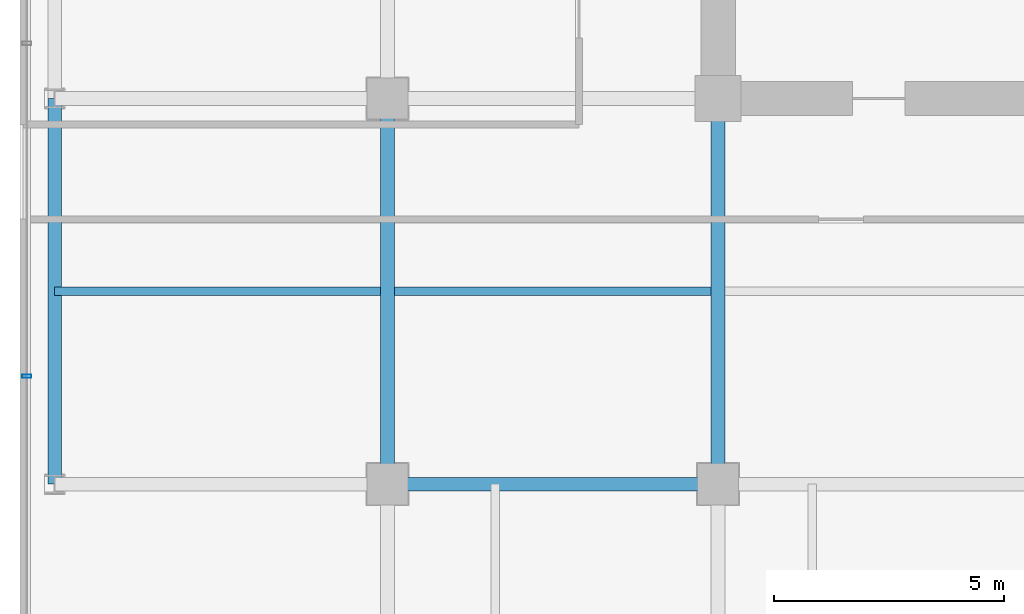
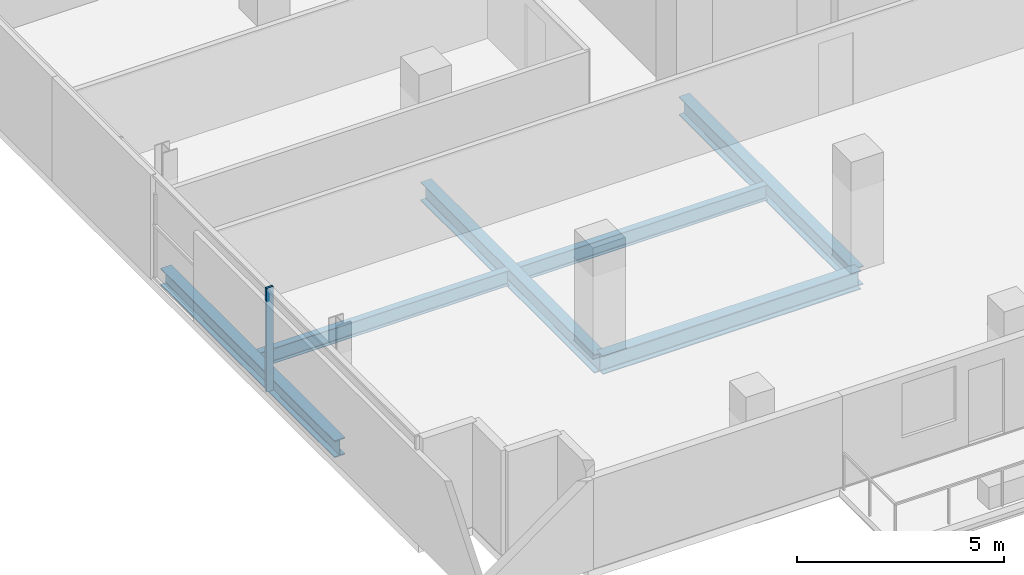
# One storey, part 4 of 27: 6 beams, 1 member, 1 element without a shape of its own.
"""IFC4 building model written with IfcOpenShell, lengths in metres."""

from ifc_helpers import new_model, si_unit, direction, frame, origin, origin_2d, place, context, subcontext, project, spatial, hollow_rectangle, i_section, extrude, source, transform, mapped, material, layer, layer_set, material_profile, profile_set, type_object, element, aggregate, save


model = new_model("IFC4")

# Units and contexts
model_context = context("Model", 3, precision=1e-05, world=origin(), true_north=direction((0.0, 1.0)))
body_context = subcontext(model_context, "Body", "Model", "MODEL_VIEW")
ifc_project = project(units=[si_unit("LENGTHUNIT", "METRE"), si_unit("AREAUNIT", "SQUARE_METRE"), si_unit("VOLUMEUNIT", "CUBIC_METRE"), si_unit("PLANEANGLEUNIT", "RADIAN"), si_unit("MASSUNIT", "GRAM", prefix="KILO")], contexts=[model_context])

# Site, building, storey
site_placement = place(None, origin())
site = spatial("IfcSite", under=ifc_project, at=site_placement, CompositionType="ELEMENT")
building_placement = place(site_placement, origin())
building = spatial("IfcBuilding", under=site, at=building_placement, Name="Zarnakvel Exchange Tower", CompositionType="ELEMENT")
storey_placement = place(building_placement, frame((0.0, 0.0, 106.60009765625)))
storey = spatial("IfcBuildingStorey", under=building, at=storey_placement, Name="L29", CompositionType="ELEMENT", Elevation=106.60009765625)

# Beams
ifc_material_1 = material(Name="Steel S355", Category="steel")
ifc_material_profile_1 = material_profile(ifc_material_1, i_section(OverallWidth=0.18994140625, OverallDepth=0.449951171875, WebThickness=0.009521484375, FlangeThickness=0.0146484375, FilletRadius=0.02099609375, at=origin_2d()))
ifc_profile_set_1 = profile_set([ifc_material_profile_1], Name="Steel S355")
beam_type_1 = type_object("IfcBeamType", Name="B-05", PredefinedType="JOIST", material=ifc_profile_set_1)
beam_1_placement = place(storey_placement, frame((-28.85009765625, -5.39990234375, -0.4501953125), z_axis=(1.0, 0.0, 0.0), x_axis=(0.0, 1.0, 0.0)))
element("IfcBeam", 1, at=beam_1_placement, inside=storey, type_object=beam_type_1, Name="L29 Composite Floor Secondary Joist", PredefinedType="JOIST", context=body_context, shape_type="SweptSolid", body=[
    extrude(i_section(OverallWidth=0.18994140625, OverallDepth=0.449951171875, WebThickness=0.009521484375, FlangeThickness=0.0146484375, FilletRadius=0.02099609375, at=origin_2d()), origin(), (0.0, 0.0, 1.0), 7.10009765625),
])
beam_2_placement = place(storey_placement, frame((-21.449951171875, -5.39990234375, -0.4501953125), z_axis=(1.0, 0.0, 0.0), x_axis=(0.0, 1.0, 0.0)))
element("IfcBeam", 2, at=beam_2_placement, inside=storey, type_object=beam_type_1, Name="L29 Composite Floor Secondary Joist", PredefinedType="JOIST", context=body_context, shape_type="SweptSolid", body=[
    extrude(i_section(OverallWidth=0.18994140625, OverallDepth=0.449951171875, WebThickness=0.009521484375, FlangeThickness=0.0146484375, FilletRadius=0.02099609375, at=origin_2d()), origin(), (0.0, 0.0, 1.0), 6.89990234375),
])
ifc_material_profile_2 = material_profile(ifc_material_1, i_section(OverallWidth=0.300048828125, OverallDepth=0.550048828125, WebThickness=0.014892578125, FlangeThickness=0.029052734375, FilletRadius=0.027099609375, at=origin_2d()))
ifc_profile_set_2 = profile_set([ifc_material_profile_2], Name="Steel S355")
beam_type_2 = type_object("IfcBeamType", Name="G-05", PredefinedType="BEAM", material=ifc_profile_set_2)
beam_3_placement = place(storey_placement, frame((-21.60009765625, -9.60009765625, -0.5), z_axis=(1.0, 0.0, 0.0), x_axis=(0.0, 1.0, 0.0)))
element("IfcBeam", 3, at=beam_3_placement, inside=storey, type_object=beam_type_2, Name="L29 Tower E-W Frame Beam", PredefinedType="BEAM", context=body_context, shape_type="SweptSolid", body=[
    extrude(i_section(OverallWidth=0.300048828125, OverallDepth=0.550048828125, WebThickness=0.014892578125, FlangeThickness=0.029052734375, FilletRadius=0.027099609375, at=origin_2d()), origin(), (0.0, 0.0, 1.0), 7.2001953125),
])
for number, where, z_axis, x_axis, name in (
    (4, (-21.60009765625, -9.60009765625, -0.5), (0.0, 1.0, 0.0), (-1.0, 0.0, 0.0), "L29 Tower N-S Frame Beam"),
    (5, (-14.39990234375, -9.60009765625, -0.5), (0.0, 1.0, 0.0), (-1.0, 0.0, 0.0), "L29 Tower N-S Frame Beam"),
):
    element("IfcBeam", number, at=place(storey_placement, frame(where, z_axis=z_axis, x_axis=x_axis)), inside=storey, type_object=beam_type_2, Name=name, PredefinedType="BEAM", context=body_context, shape_type="SweptSolid", body=[
        extrude(i_section(OverallWidth=0.300048828125, OverallDepth=0.550048828125, WebThickness=0.014892578125, FlangeThickness=0.029052734375, FilletRadius=0.027099609375, at=origin_2d()), origin(), (0.0, 0.0, 1.0), 8.400146484375),
    ])
ifc_material_profile_3 = material_profile(ifc_material_1, i_section(OverallWidth=0.300048828125, OverallDepth=0.5, WebThickness=0.014404296875, FlangeThickness=0.028076171875, FilletRadius=0.027099609375, at=origin_2d()))
ifc_profile_set_3 = profile_set([ifc_material_profile_3], Name="Steel S355")
beam_type_3 = type_object("IfcBeamType", Name="SP-02", PredefinedType="SPANDREL", material=ifc_profile_set_3)
beam_4_placement = place(storey_placement, frame((-28.85009765625, -9.60009765625, -0.47509765625), z_axis=(0.0, 1.0, 0.0), x_axis=(-1.0, 0.0, 0.0)))
element("IfcBeam", 6, at=beam_4_placement, inside=storey, type_object=beam_type_3, Name="L29 Tower N-S Frame Beam", PredefinedType="SPANDREL", context=body_context, shape_type="SweptSolid", body=[
    extrude(i_section(OverallWidth=0.300048828125, OverallDepth=0.5, WebThickness=0.014404296875, FlangeThickness=0.028076171875, FilletRadius=0.027099609375, at=origin_2d()), origin(), (0.0, 0.0, 1.0), 8.400146484375),
])

# Curtain wall, member
ifc_material_2 = material(Name="Architectural Bronze Anodised Aluminium", Category="aluminium")
ifc_layer = layer(ifc_material_2, 0.199951171875)
ifc_layer_set = layer_set([ifc_layer], Name="Architectural Bronze Anodised Aluminium")
curtain_wall_type = type_object("IfcCurtainWallType", Name="CW-04", PredefinedType="NOTDEFINED", material=ifc_layer_set)
curtain_wall_placement = place(storey_placement, origin())
curtain_wall = element("IfcCurtainWall", 7, at=curtain_wall_placement, inside=storey, type_object=curtain_wall_type, Name="L29 Curtain Wall CW-L29-W1 (CW-04)", PredefinedType="NOTDEFINED")
ifc_material_profile_4 = material_profile(ifc_material_2, hollow_rectangle(XDim=0.199951171875, YDim=0.074951171875, WallThickness=0.0048828125, at=origin_2d()))
ifc_profile_set_4 = profile_set([ifc_material_profile_4], Name="Architectural Bronze Anodised Aluminium")
member_type = type_object("IfcMemberType", Name="CWM-04", PredefinedType="MULLION", material=ifc_profile_set_4)
shared_shape = source(origin(), body_context, "Body", "SweptSolid", [
    extrude(hollow_rectangle(XDim=0.199951171875, YDim=0.074951171875, WallThickness=0.0048828125, at=origin_2d()), origin(), (0.0, 0.0, 1.0), 3.054931640625),
])
member_placement = place(storey_placement, frame((-29.4599609375, -7.25, 0.0), z_axis=(0.0, 0.0, 1.0), x_axis=(-1.0, 0.0, 0.0)))
member = element("IfcMember", 8, at=member_placement, type_object=member_type, Name="CW-04 mullion 2", PredefinedType="MULLION", context=body_context, shape_type="MappedRepresentation", body=[
    mapped(shared_shape, transform((0.0, 0.0, 0.0), x_axis=(1.0, 0.0, 0.0), y_axis=(0.0, 1.0, 0.0), z_axis=(0.0, 0.0, 1.0), scale=1.0)),
])
aggregate(curtain_wall, [member])

save(model, "model.ifc")
